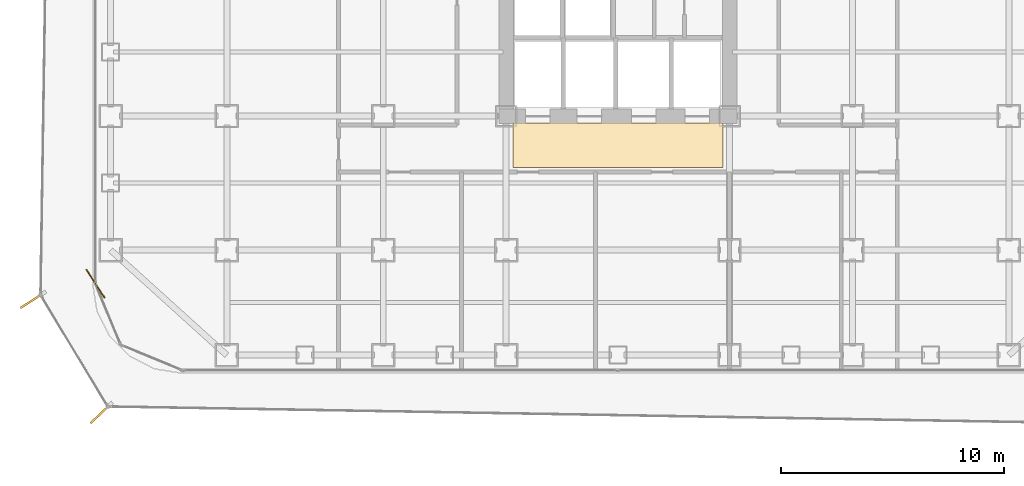
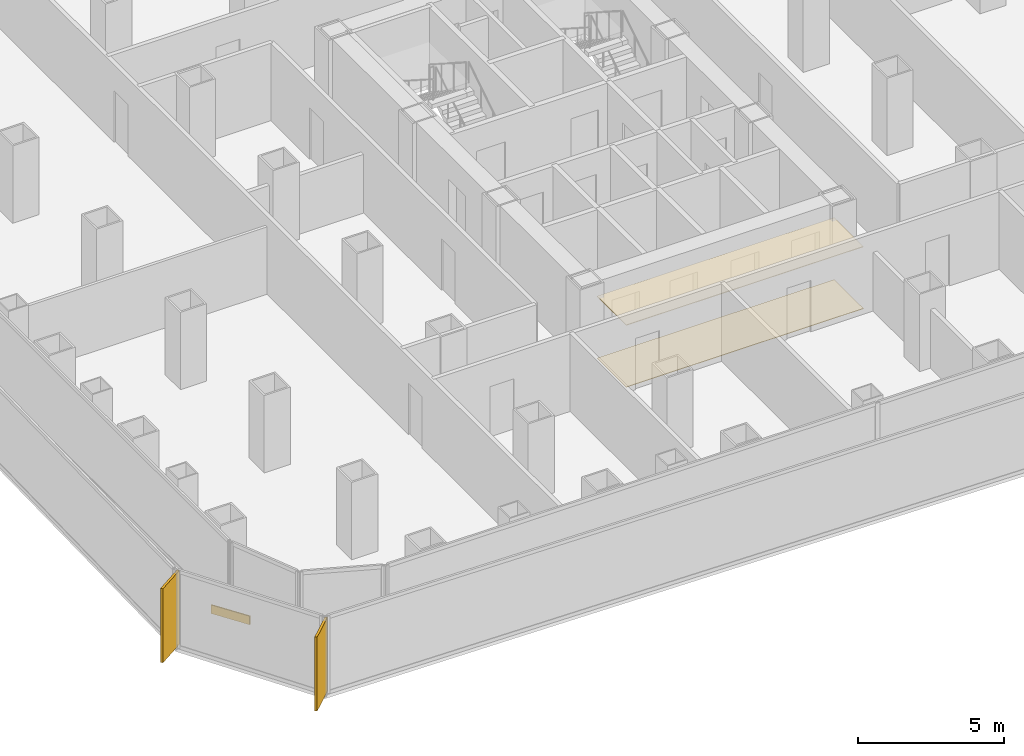
# One storey, part 20 of 22: 3 coverings, 2 shading devices.
"""IFC4 building model written with IfcOpenShell, lengths in metres."""

from ifc_helpers import new_model, si_unit, direction, frame, origin, origin_2d, place, context, subcontext, project, spatial, polyline, rectangle, outline, extrude, source, transform, mapped, material, layer, layer_set, type_object, element, save


model = new_model("IFC4")

# Units and contexts
model_context = context("Model", 3, precision=1e-05, world=origin(), true_north=direction((0.0, 1.0)))
body_context = subcontext(model_context, "Body", "Model", "MODEL_VIEW")
ifc_project = project(units=[si_unit("LENGTHUNIT", "METRE"), si_unit("AREAUNIT", "SQUARE_METRE"), si_unit("VOLUMEUNIT", "CUBIC_METRE"), si_unit("PLANEANGLEUNIT", "RADIAN"), si_unit("MASSUNIT", "GRAM", prefix="KILO")], contexts=[model_context])

# Site, building, storey
site_placement = place(None, origin())
site = spatial("IfcSite", under=ifc_project, at=site_placement, CompositionType="ELEMENT")
building_placement = place(site_placement, origin())
building = spatial("IfcBuilding", under=site, at=building_placement, Name="Kolveth Station Tower", CompositionType="ELEMENT")
storey_placement = place(building_placement, frame((0.0, 0.0, 72.89990234375)))
storey = spatial("IfcBuildingStorey", under=building, at=storey_placement, Name="L19", CompositionType="ELEMENT", Elevation=72.89990234375)

# Coverings
ifc_material_1 = material(Name="Acoustic mineral-fibre ceiling tile")
ifc_layer_1 = layer(ifc_material_1, 0.02490234375)
ifc_layer_set_1 = layer_set([ifc_layer_1], Name="Acoustic mineral-fibre ceiling tile")
covering_type_1 = type_object("IfcCoveringType", Name="Ceil_CL1", PredefinedType="CEILING", material=ifc_layer_set_1)
covering_1_placement = place(storey_placement, frame((0.0, 0.0, 2.590087890625)))
element("IfcCovering", 1, at=covering_1_placement, inside=storey, type_object=covering_type_1, Name="L19 Lift Lobby Suspended Ceiling", PredefinedType="CEILING", context=body_context, shape_type="SweptSolid", body=[
    extrude(outline(polyline([(18.800048828125, 9.199951171875), (28.199951171875, 9.199951171875), (28.199951171875, 11.199951171875), (18.800048828125, 11.199951171875), (18.800048828125, 9.199951171875)])), origin(), (0.0, 0.0, 1.0), 0.02490234375),
])
ifc_material_2 = material(Name="Honed terrazzo flooring")
ifc_layer_2 = layer(ifc_material_2, 0.02001953125)
ifc_layer_set_2 = layer_set([ifc_layer_2], Name="Honed terrazzo flooring")
covering_type_2 = type_object("IfcCoveringType", Name="Floor_FL1", PredefinedType="FLOORING", material=ifc_layer_set_2)
covering_2_placement = place(storey_placement, origin())
element("IfcCovering", 2, at=covering_2_placement, inside=storey, type_object=covering_type_2, Name="L19 Lift Lobby Floor Finish", PredefinedType="FLOORING", context=body_context, shape_type="SweptSolid", body=[
    extrude(outline(polyline([(18.800048828125, 9.199951171875), (28.199951171875, 9.199951171875), (28.199951171875, 11.199951171875), (18.800048828125, 11.199951171875), (18.800048828125, 9.199951171875)])), origin(), (0.0, 0.0, 1.0), 0.02001953125),
])

# Shading devices
ifc_material_3 = material(Name="Black anodized aluminium 6063-T6", Category="aluminium")
shading_device_type = type_object("IfcShadingDeviceType", Name="FIN_VF1", PredefinedType="USERDEFINED", material=ifc_material_3)
shared_shape_1 = source(origin(), body_context, "Body", "SweptSolid", [
    extrude(rectangle(XDim=1.25, YDim=0.090087890625, at=origin_2d()), origin(), (0.0, 0.0, 1.0), 3.10009765625),
])
for number, where, z_axis, x_axis, name in (
    (3, (-2.708984375, 3.2529296875, 0.0), (0.0, 0.0, 1.0), (-0.839050593311, -0.544053399827, 0.0), "L19 Dark-Aluminium Solar Fin 7"),
    (4, (0.35107421875, -1.81298828125, 0.0), (0.0, 0.0, 1.0), (-0.723931094691, -0.689872285383, 0.0), "L19 Dark-Aluminium Solar Fin 8"),
):
    element("IfcShadingDevice", number, at=place(storey_placement, frame(where, z_axis=z_axis, x_axis=x_axis)), inside=storey, type_object=shading_device_type, Name=name, ObjectType="FIN", PredefinedType="USERDEFINED", context=body_context, shape_type="MappedRepresentation", body=[
        mapped(shared_shape_1, transform((0.0, 0.0, 0.0), x_axis=(1.0, 0.0, 0.0), y_axis=(0.0, 1.0, 0.0), z_axis=(0.0, 0.0, 1.0), scale=1.0)),
    ])

# Covering
ifc_material_4 = material(Name="Charcoal anodized aluminium spandrel cladding", Category="aluminium")
ifc_layer_3 = layer(ifc_material_4, 0.044921875)
ifc_layer_set_3 = layer_set([ifc_layer_3], Name="Charcoal anodized aluminium spandrel cladding")
covering_type_3 = type_object("IfcCoveringType", Name="Clad_CD1", PredefinedType="CLADDING", material=ifc_layer_set_3)
shared_shape_2 = source(origin(), body_context, "Body", "SweptSolid", [
    extrude(rectangle(XDim=1.5, YDim=0.044921875, at=origin_2d()), origin(), (0.0, 0.0, 1.0), 0.360107421875),
])
covering_3_placement = place(storey_placement, frame((0.1201171875, 4.0, 0.0), z_axis=(0.0, 0.0, 1.0), x_axis=(0.544053399827, -0.839050593311, 0.0)))
element("IfcCovering", 5, at=covering_3_placement, inside=storey, type_object=covering_type_3, Name="L19 Spandrel Edge Cladding 7", PredefinedType="CLADDING", context=body_context, shape_type="MappedRepresentation", body=[
    mapped(shared_shape_2, transform((0.0, 0.0, 0.0), x_axis=(1.0, 0.0, 0.0), y_axis=(0.0, 1.0, 0.0), z_axis=(0.0, 0.0, 1.0), scale=1.0)),
])

save(model, "model.ifc")
